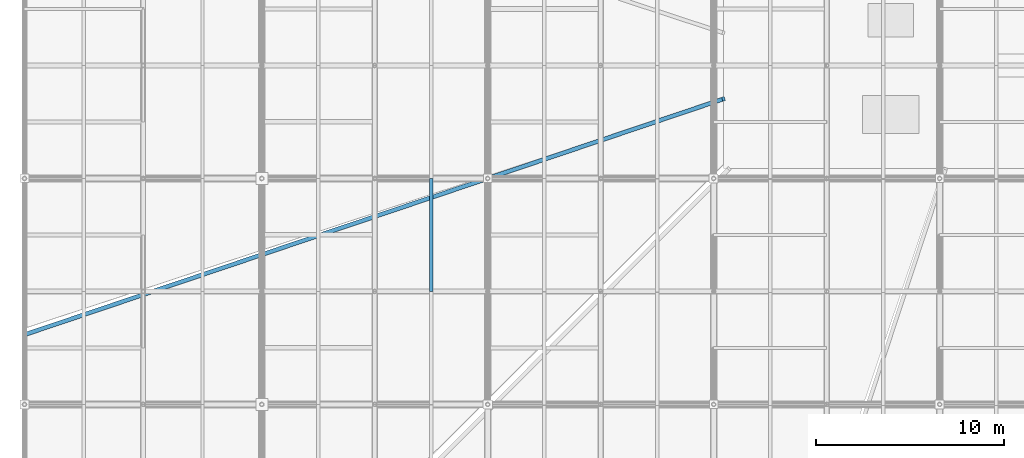
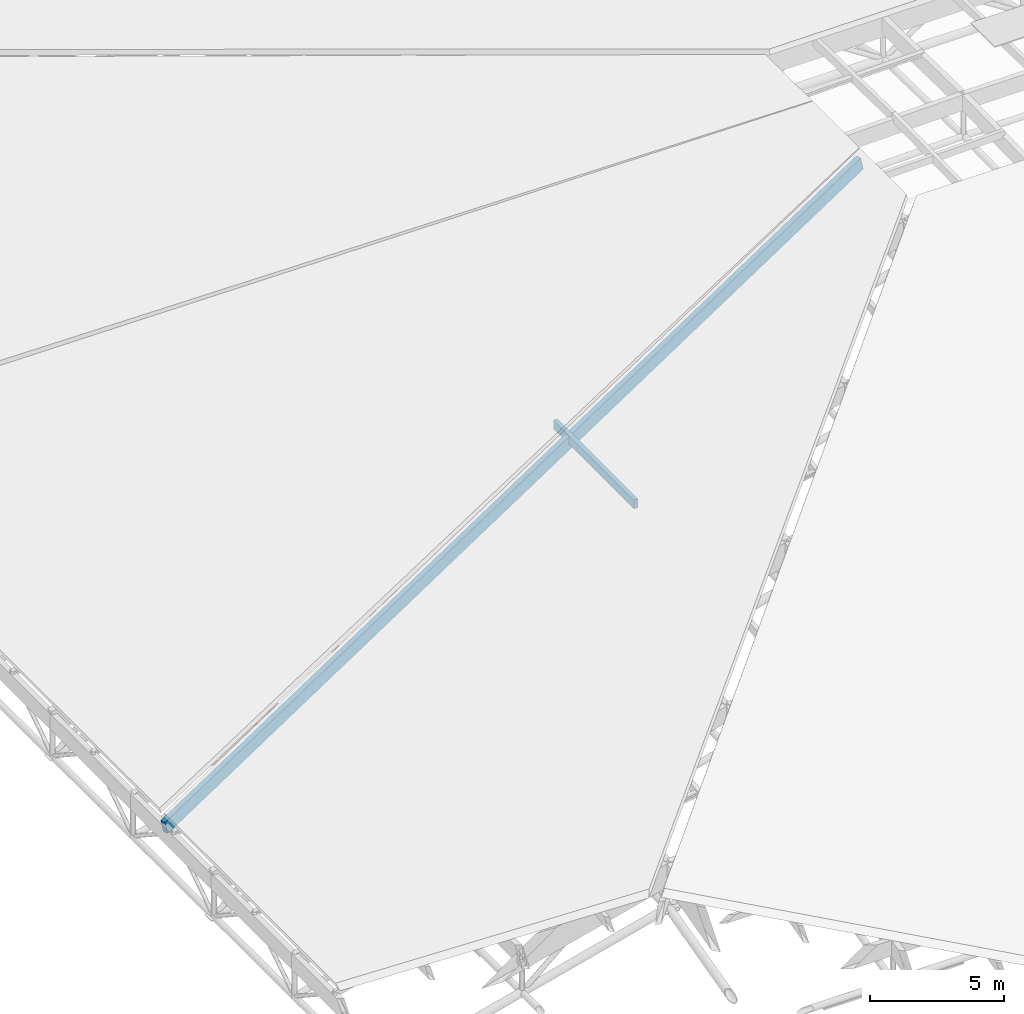
# One storey, part 15 of 80: 2 members.
"""IFC4 building model written with IfcOpenShell, lengths in metres."""

import ifcopenshell
import ifcopenshell.guid

model = None  # the IFC model being written
_history = None  # IfcOwnerHistory: only IFC2X3 demands one
_inside = {}  # id of a spatial element -> (the spatial element, [elements in it])
_under = {}  # id of a project, library or spatial element -> (it, [spatial elements below it])
_declared = {}  # id of a project -> (the project, [libraries it declares])
_typed = {}  # id of a type object -> (the type object, [elements of that type])
_made_of = {}  # id of a material, layer set ... -> (it, [elements and type objects made of it])


def new_model(schema):
    """Start an empty IFC model of exactly this schema.

    Asked for "IFC4X3", IfcOpenShell would pick the latest addendum, in which some entities
    have other attributes; the version numbers below select the first issue.
    IFC2X3 requires an IfcOwnerHistory on every rooted entity: one is made here for all.
    """
    global model, _history
    if schema == "IFC4X3":
        model = ifcopenshell.file(schema_version=(4, 3, 0, 0))
    else:
        model = ifcopenshell.file(schema=schema)
    _inside.clear()
    _under.clear()
    _declared.clear()
    _typed.clear()
    _made_of.clear()
    _history = None
    if model.schema == "IFC2X3":
        org = make("IfcOrganization", Name="unknown")
        user = make(
            "IfcPersonAndOrganization",
            ThePerson=make("IfcPerson", FamilyName="unknown"),
            TheOrganization=org,
        )
        app = make(
            "IfcApplication",
            ApplicationDeveloper=org,
            Version="unknown",
            ApplicationFullName="unknown",
            ApplicationIdentifier="unknown",
        )
        _history = make(
            "IfcOwnerHistory",
            OwningUser=user,
            OwningApplication=app,
            ChangeAction="ADDED",
            CreationDate=0,
        )
    return model


def make(cls, **values):
    """One entity of the class cls with the attributes given. An attribute that is None is left unset."""
    return model.create_entity(
        cls, **{name: value for name, value in values.items() if value is not None}
    )


def rooted(cls, **values):
    """An entity with a GlobalId (a new one), such as an element, a storey or a relation."""
    return make(cls, GlobalId=ifcopenshell.guid.new(), OwnerHistory=_history, **values)


def si_unit(unit_type, name, prefix=None):
    """IfcSIUnit, for example si_unit("LENGTHUNIT", "METRE", prefix="MILLI")."""
    return make("IfcSIUnit", UnitType=unit_type, Prefix=prefix, Name=name)


def assignment(units):
    """IfcUnitAssignment: the units of a project."""
    return None if units is None else make("IfcUnitAssignment", Units=units)


def point(xyz):
    """IfcCartesianPoint."""
    return None if xyz is None else make("IfcCartesianPoint", Coordinates=xyz)


def direction(xyz):
    """IfcDirection."""
    return None if xyz is None else make("IfcDirection", DirectionRatios=xyz)


def frame(location, z_axis=None, x_axis=None):
    """IfcAxis2Placement3D, a coordinate frame: its origin and axes. An axis left out is left unset."""
    return make(
        "IfcAxis2Placement3D",
        Location=point(location),
        Axis=direction(z_axis),
        RefDirection=direction(x_axis),
    )


def frame_2d(location, x_axis=None):
    """IfcAxis2Placement2D, a coordinate frame in the plane: its origin and x axis."""
    return make(
        "IfcAxis2Placement2D", Location=point(location), RefDirection=direction(x_axis)
    )


def origin():
    """The frame at (0, 0, 0) with its axes left unset."""
    return frame((0.0, 0.0, 0.0))


def origin_2d():
    """The frame at (0, 0) in the plane with its x axis left unset."""
    return frame_2d((0.0, 0.0))


def place(relative_to, where):
    """IfcLocalPlacement: puts the frame where relative to a parent placement (None: the world)."""
    return make(
        "IfcLocalPlacement", PlacementRelTo=relative_to, RelativePlacement=where
    )


def context(
    kind, dimensions, precision=None, world=None, true_north=None, identifier=None
):
    """IfcGeometricRepresentationContext, for example the 3D "Model" context."""
    return make(
        "IfcGeometricRepresentationContext",
        ContextIdentifier=identifier,
        ContextType=kind,
        CoordinateSpaceDimension=dimensions,
        Precision=precision,
        WorldCoordinateSystem=world,
        TrueNorth=true_north,
    )


def subcontext(parent, identifier, kind, view, scale=None):
    """IfcGeometricRepresentationSubContext, for example "Body" below "Model"."""
    return make(
        "IfcGeometricRepresentationSubContext",
        ContextIdentifier=identifier,
        ContextType=kind,
        ParentContext=parent,
        TargetScale=scale,
        TargetView=view,
    )


def project(units=None, contexts=None):
    """IfcProject with its units and contexts."""
    return rooted(
        "IfcProject",
        Name="project",
        RepresentationContexts=contexts,
        UnitsInContext=assignment(units),
    )


def spatial(cls, under=None, at=None, **own):
    """A site, building, storey or space (cls), placed at a placement, below another one or the project."""
    s = rooted(cls, ObjectPlacement=at, **own)
    if under is not None:
        _under.setdefault(under.id(), (under, []))[1].append(s)
    return s


def profile(cls, at=None, kind="AREA", **sizes):
    """A parametric profile (cls). Its sizes go by their IFC names, for example OverallWidth=200.0."""
    return make(cls, ProfileType=kind, Position=at, **sizes)


def rectangle(**sizes):
    """IfcRectangleProfileDef."""
    return profile("IfcRectangleProfileDef", **sizes)


def extrude(swept, where, along, depth):
    """IfcExtrudedAreaSolid: the profile swept, set in the frame where, extruded along a direction by depth."""
    return make(
        "IfcExtrudedAreaSolid",
        SweptArea=swept,
        Position=where,
        ExtrudedDirection=direction(along),
        Depth=depth,
    )


def shape(context_of_items, identifier, shape_type, items):
    """IfcShapeRepresentation: the items that make up one representation, for example the "Body"."""
    return make(
        "IfcShapeRepresentation",
        ContextOfItems=context_of_items,
        RepresentationIdentifier=identifier,
        RepresentationType=shape_type,
        Items=items,
    )


def material(Name=None, Category=None):
    """IfcMaterial."""
    return make("IfcMaterial", Name=Name, Category=Category)


def material_profile(
    of_material, cross_section, Name=None, Category=None, Priority=None
):
    """IfcMaterialProfile: a cross section and its material."""
    return make(
        "IfcMaterialProfile",
        Name=Name,
        Material=of_material,
        Profile=cross_section,
        Priority=Priority,
        Category=Category,
    )


def profile_set(profiles, Name=None, composite=None):
    """IfcMaterialProfileSet."""
    return make(
        "IfcMaterialProfileSet",
        Name=Name,
        MaterialProfiles=profiles,
        CompositeProfile=composite,
    )


def made_of(thing, what):
    """Note that an element or type object is made of a material, layer set ...; save() writes the relation."""
    if what is not None:
        _made_of.setdefault(what.id(), (what, []))[1].append(thing)
    return thing


def type_object(cls, material=None, **own):
    """A type object (cls), such as IfcWallType, which elements share."""
    return made_of(rooted(cls, **own), material)


def element(
    cls,
    number,
    at=None,
    inside=None,
    cuts=None,
    type_object=None,
    material=None,
    context=None,
    identifier="Body",
    shape_type=None,
    held_by="IfcProductDefinitionShape",
    body=None,
    shapes=None,
    **own,
):
    """One element of the class cls, such as IfcWall. Its Tag is "e" and its number.

    at: its placement. inside: the storey or other place that contains it. cuts: it is an
    opening in that element (IfcRelVoidsElement). A single representation is given by context,
    identifier, shape_type and body (its items); several are given by shapes. held_by: the class
    of the entity that holds the representations. save() writes the other relations.
    """
    e = rooted(cls, Tag="e%d" % number, ObjectPlacement=at, **own)
    if body is not None:
        shapes = [shape(context, identifier, shape_type, body)]
    if shapes is not None:
        e.Representation = make(held_by, Representations=shapes)
    if inside is not None:
        _inside.setdefault(inside.id(), (inside, []))[1].append(e)
    if cuts is not None:
        rooted(
            "IfcRelVoidsElement", RelatingBuildingElement=cuts, RelatedOpeningElement=e
        )
    if type_object is not None:
        _typed.setdefault(type_object.id(), (type_object, []))[1].append(e)
    return made_of(e, material)


def aggregate(whole, parts):
    """IfcRelAggregates: a whole, such as a stair, and the parts it consists of."""
    return rooted("IfcRelAggregates", RelatingObject=whole, RelatedObjects=parts)


def save(model, path):
    """Write the relations noted so far, then the file.

    IfcRelAggregates (storeys below a building ...), IfcRelContainedInSpatialStructure (elements
    in a storey), IfcRelDefinesByType, IfcRelAssociatesMaterial and IfcRelDeclares: one each for
    every whole, place, type object, material and project.
    """
    for whole, parts in _under.values():
        aggregate(whole, parts)
    for where, things in _inside.values():
        rooted(
            "IfcRelContainedInSpatialStructure",
            RelatedElements=things,
            RelatingStructure=where,
        )
    for kind, things in _typed.values():
        rooted("IfcRelDefinesByType", RelatedObjects=things, RelatingType=kind)
    for what, things in _made_of.values():
        rooted("IfcRelAssociatesMaterial", RelatedObjects=things, RelatingMaterial=what)
    for by, libraries in _declared.values():
        rooted("IfcRelDeclares", RelatingContext=by, RelatedDefinitions=libraries)
    model.write(path)


model = new_model("IFC4")

# Units and contexts
model_context = context("Model", 3, precision=1e-05, world=origin(), true_north=direction((0.0, 1.0)))
body_context = subcontext(model_context, "Body", "Model", "MODEL_VIEW")
ifc_project = project(units=[si_unit("LENGTHUNIT", "METRE"), si_unit("AREAUNIT", "SQUARE_METRE"), si_unit("VOLUMEUNIT", "CUBIC_METRE"), si_unit("PLANEANGLEUNIT", "RADIAN"), si_unit("MASSUNIT", "GRAM", prefix="KILO"), si_unit("THERMODYNAMICTEMPERATUREUNIT", "KELVIN"), si_unit("POWERUNIT", "WATT")], contexts=[model_context])

# Site, building, storey
site_placement = place(None, origin())
site = spatial("IfcSite", under=ifc_project, at=site_placement, CompositionType="ELEMENT")
building_placement = place(site_placement, origin())
building = spatial("IfcBuilding", under=site, at=building_placement, Name="Solmara Park Aquatics Centre", CompositionType="ELEMENT")
storey_placement = place(building_placement, frame((0.0, 0.0, 22.800048828125)))
storey = spatial("IfcBuildingStorey", under=building, at=storey_placement, Name="RF", CompositionType="ELEMENT", Elevation=22.800048828125)

# Members
ifc_material = material(Name="Glulam Timber GL28h", Category="wood")
ifc_material_profile_1 = material_profile(ifc_material, rectangle(XDim=0.179931640625, YDim=0.39990234375, at=origin_2d()), Name="GL28h 180x400")
ifc_profile_set_1 = profile_set([ifc_material_profile_1], Name="Glulam Timber GL28h")
member_type_1 = type_object("IfcMemberType", Name="STR-PRL-GL180x400", PredefinedType="PURLIN", material=ifc_profile_set_1)
member_1_placement = place(storey_placement, frame((21.60009765625, 30.60009765625, -6.8740234375), z_axis=(0.0, 1.0, 0.0), x_axis=(-1.0, 0.0, 0.0)))
element("IfcMember", 1, at=member_1_placement, inside=storey, type_object=member_type_1, Name="Glulam Roof Purlin 1426", PredefinedType="PURLIN", context=body_context, shape_type="SweptSolid", body=[
    extrude(rectangle(XDim=0.179931640625, YDim=0.39990234375, at=origin_2d()), origin(), (0.0, 0.0, 1.0), 6.0),
])
ifc_material_profile_2 = material_profile(ifc_material, rectangle(XDim=0.219970703125, YDim=0.60009765625, at=origin_2d()), Name="GL28h 220x600")
ifc_profile_set_2 = profile_set([ifc_material_profile_2], Name="Glulam Timber GL28h")
member_type_2 = type_object("IfcMemberType", Name="STR-RFT-GL220x600", PredefinedType="RAFTER", material=ifc_profile_set_2)
member_2_placement = place(storey_placement, frame((0.0, 28.3037109375, -12.60009765625), z_axis=(0.920308876283, 0.310453830895, 0.238012586049), x_axis=(-0.319639611636, 0.947539191101, 0.0)))
element("IfcMember", 2, at=member_2_placement, inside=storey, type_object=member_type_2, Name="Glulam Hip Jack Rafter WEST-3", PredefinedType="RAFTER", context=body_context, shape_type="SweptSolid", body=[
    extrude(rectangle(XDim=0.219970703125, YDim=0.60009765625, at=origin_2d()), origin(), (0.0, 0.0, 1.0), 40.33447265625),
])

save(model, "model.ifc")
